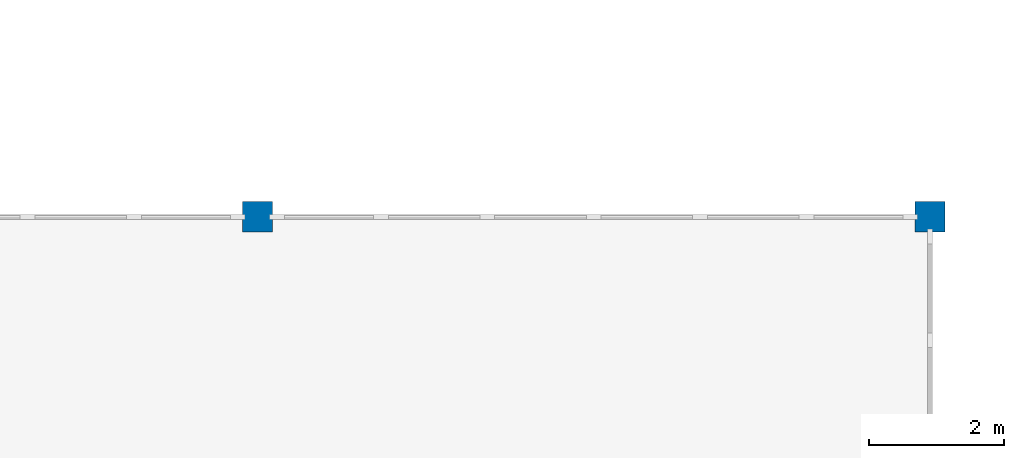
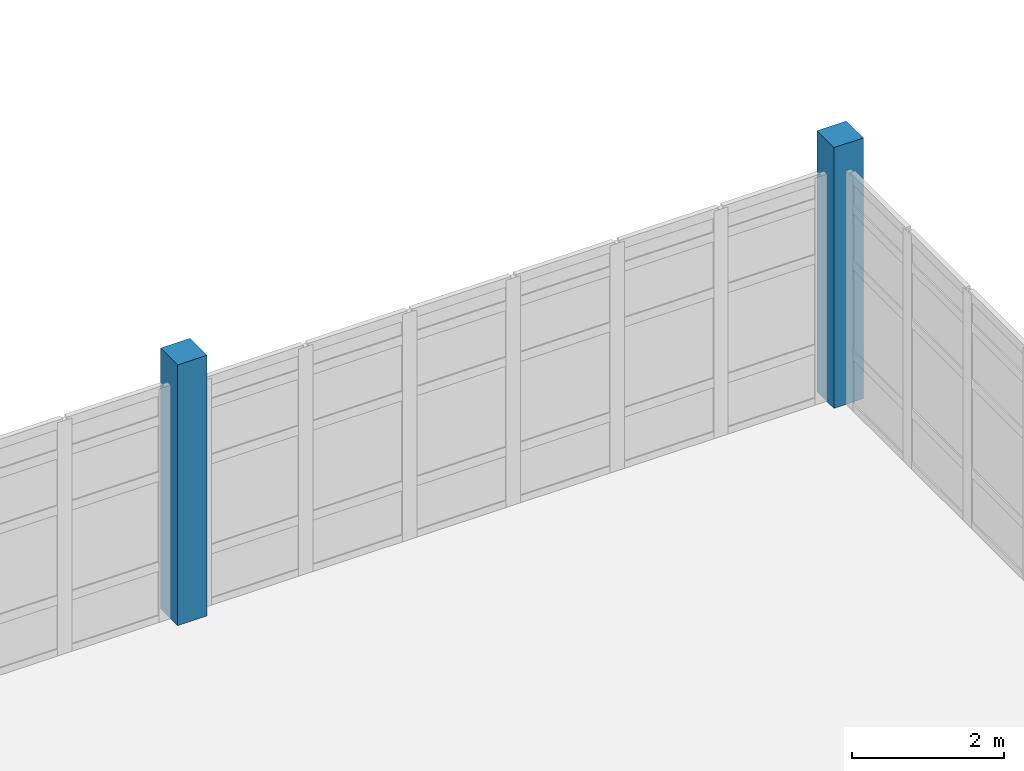
# One storey, part 20 of 122: 2 columns.
"""IFC4 building model written with IfcOpenShell, lengths in metres."""

from ifc_helpers import new_model, si_unit, direction, frame, origin, origin_2d, place, context, subcontext, project, spatial, rectangle, extrude, material, material_profile, profile_set, type_object, element, save


model = new_model("IFC4")

# Units and contexts
model_context = context("Model", 3, precision=1e-05, world=origin(), true_north=direction((0.0, 1.0)))
body_context = subcontext(model_context, "Body", "Model", "MODEL_VIEW")
ifc_project = project(units=[si_unit("LENGTHUNIT", "METRE"), si_unit("AREAUNIT", "SQUARE_METRE"), si_unit("VOLUMEUNIT", "CUBIC_METRE"), si_unit("PLANEANGLEUNIT", "RADIAN"), si_unit("MASSUNIT", "GRAM", prefix="KILO"), si_unit("THERMODYNAMICTEMPERATUREUNIT", "KELVIN"), si_unit("POWERUNIT", "WATT")], contexts=[model_context])

# Site, building, storey
site_placement = place(None, origin())
site = spatial("IfcSite", under=ifc_project, at=site_placement, CompositionType="ELEMENT")
building_placement = place(site_placement, origin())
building = spatial("IfcBuilding", under=site, at=building_placement, Name="Korenveer Ferry Terminal", CompositionType="ELEMENT")
storey_placement = place(building_placement, frame((0.0, 0.0, 10.199951171875)))
storey = spatial("IfcBuildingStorey", under=building, at=storey_placement, Name="L02", CompositionType="ELEMENT", Elevation=10.199951171875)

# Columns
ifc_material = material(Name="Concrete C45/55", Category="concrete")
ifc_material_profile = material_profile(ifc_material, rectangle(XDim=0.449951171875, YDim=0.449951171875, at=origin_2d()), Name="RC 450x450")
ifc_profile_set = profile_set([ifc_material_profile], Name="Concrete C45/55")
column_type = type_object("IfcColumnType", Name="STR-COL-RC450", PredefinedType="COLUMN", material=ifc_profile_set)
for number, where, z_axis, x_axis, name in (
    (1, (166.0, 80.0, 0.0), (0.0, 0.0, 1.0), (1.0, 0.0, 0.0), "Column COL-L02-X166-Y80"),
    (2, (176.0, 80.0, 0.0), (0.0, 0.0, 1.0), (1.0, 0.0, 0.0), "Column COL-L02-X176-Y80"),
):
    element("IfcColumn", number, at=place(storey_placement, frame(where, z_axis=z_axis, x_axis=x_axis)), inside=storey, type_object=column_type, Name=name, PredefinedType="COLUMN", context=body_context, shape_type="SweptSolid", body=[
        extrude(rectangle(XDim=0.449951171875, YDim=0.449951171875, at=origin_2d()), origin(), (0.0, 0.0, 1.0), 4.199951171875),
    ])

save(model, "model.ifc")
